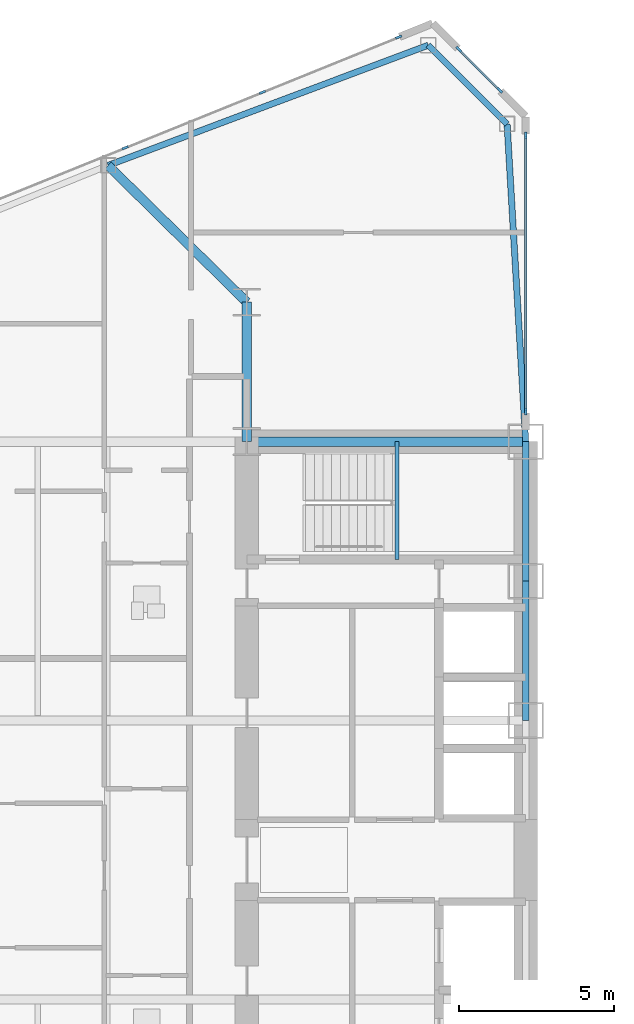
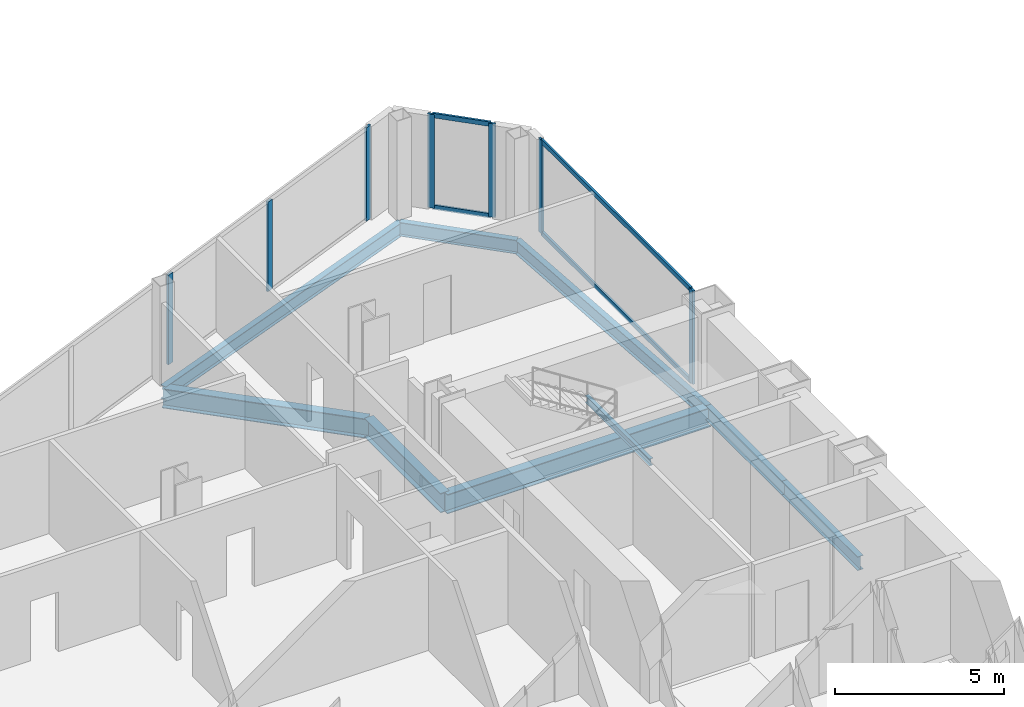
# One storey, part 8 of 25: 11 members, 9 beams, 3 elements without a shape of their own.
"""IFC4 building model written with IfcOpenShell, lengths in metres."""

from ifc_helpers import new_model, si_unit, direction, frame, origin, origin_2d, place, context, subcontext, project, spatial, rectangle, i_section, extrude, source, transform, mapped, material, layer, layer_set, material_profile, profile_set, type_object, type_shapes, element, aggregate, save


model = new_model("IFC4")

# Units and contexts
model_context = context("Model", 3, precision=1e-05, world=origin(), true_north=direction((0.0, 1.0)))
body_context = subcontext(model_context, "Body", "Model", "MODEL_VIEW")
ifc_project = project(units=[si_unit("LENGTHUNIT", "METRE"), si_unit("AREAUNIT", "SQUARE_METRE"), si_unit("VOLUMEUNIT", "CUBIC_METRE"), si_unit("PLANEANGLEUNIT", "RADIAN"), si_unit("MASSUNIT", "GRAM", prefix="KILO")], contexts=[model_context])

# Site, building, storey
site_placement = place(None, origin())
site = spatial("IfcSite", under=ifc_project, at=site_placement, CompositionType="ELEMENT")
building_placement = place(site_placement, origin())
building = spatial("IfcBuilding", under=site, at=building_placement, Name="Seokmaru Belvedere", CompositionType="ELEMENT")
storey_placement = place(building_placement, frame((0.0, 0.0, 22.5)))
storey = spatial("IfcBuildingStorey", under=building, at=storey_placement, Name="L05", CompositionType="ELEMENT", Elevation=22.5)

# Beams
ifc_material_1 = material(Name="Steel SM355 (355 MPa)", Category="steel")
ifc_material_profile_1 = material_profile(ifc_material_1, i_section(OverallWidth=0.199951171875, OverallDepth=0.5, WebThickness=0.010009765625, FlangeThickness=0.01611328125, at=origin_2d()), Name="H-500x200x10x16")
ifc_profile_set_1 = profile_set([ifc_material_profile_1], Name="Steel SM355 (355 MPa)")
beam_type_1 = type_object("IfcBeamType", Name="Perimeter Spandrel Beam H-500", PredefinedType="SPANDREL", material=ifc_profile_set_1)
shared_shape_1 = source(origin(), body_context, "Body", "SweptSolid", [
    extrude(i_section(OverallWidth=0.199951171875, OverallDepth=0.5, WebThickness=0.010009765625, FlangeThickness=0.01611328125, at=origin_2d()), origin(), (0.0, 0.0, 1.0), 4.5),
])
for number, where, z_axis, x_axis, name in (
    (1, (-27.5, 4.5, -0.469970703125), (0.0, 1.0, 0.0), (-1.0, 0.0, 0.0), "L05 W Portal Spine Spandrel 4"),
    (2, (-27.5, 9.0, -0.469970703125), (0.0, 1.0, 0.0), (-1.0, 0.0, 0.0), "L05 W Portal Spine Spandrel 5"),
):
    element("IfcBeam", number, at=place(storey_placement, frame(where, z_axis=z_axis, x_axis=x_axis)), inside=storey, type_object=beam_type_1, Name=name, PredefinedType="SPANDREL", context=body_context, shape_type="MappedRepresentation", body=[
        mapped(shared_shape_1, transform((0.0, 0.0, 0.0), scale=1.0)),
    ])
ifc_material_profile_2 = material_profile(ifc_material_1, i_section(OverallWidth=0.300048828125, OverallDepth=0.699951171875, WebThickness=0.012939453125, FlangeThickness=0.02392578125, at=origin_2d()), Name="H-700x300x13x24")
ifc_profile_set_2 = profile_set([ifc_material_profile_2], Name="Steel SM355 (355 MPa)")
beam_type_2 = type_object("IfcBeamType", Name="Primary Floor Girder H-700", PredefinedType="BEAM", material=ifc_profile_set_2)
shared_shape_2 = source(origin(), body_context, "Body", "SweptSolid", [
    extrude(i_section(OverallWidth=0.300048828125, OverallDepth=0.699951171875, WebThickness=0.012939453125, FlangeThickness=0.02392578125, at=origin_2d()), origin(), (0.0, 0.0, 1.0), 4.5),
])
beam_1_placement = place(storey_placement, frame((-36.5, 13.5, -0.570068359375), z_axis=(0.0, 1.0, 0.0), x_axis=(-1.0, 0.0, 0.0)))
element("IfcBeam", 3, at=beam_1_placement, inside=storey, type_object=beam_type_2, Name="L05 W Core Shoulder Girder N", PredefinedType="BEAM", context=body_context, shape_type="MappedRepresentation", body=[
    mapped(shared_shape_2, transform((0.0, 0.0, 0.0), scale=1.0)),
])
shared_shape_3 = source(origin(), body_context, "Body", "SweptSolid", [
    extrude(i_section(OverallWidth=0.300048828125, OverallDepth=0.699951171875, WebThickness=0.012939453125, FlangeThickness=0.02392578125, at=origin_2d()), origin(), (0.0, 0.0, 1.0), 9.0),
])
beam_2_placement = place(storey_placement, frame((-36.5, 13.5, -0.570068359375), z_axis=(1.0, 0.0, 0.0), x_axis=(0.0, 1.0, 0.0)))
element("IfcBeam", 4, at=beam_2_placement, inside=storey, type_object=beam_type_2, Name="L05 W Core Tie Girder 4", PredefinedType="BEAM", context=body_context, shape_type="MappedRepresentation", body=[
    mapped(shared_shape_3, transform((0.0, 0.0, 0.0), scale=1.0)),
])
shared_shape_4 = source(origin(), body_context, "Body", "SweptSolid", [
    extrude(i_section(OverallWidth=0.199951171875, OverallDepth=0.5, WebThickness=0.010009765625, FlangeThickness=0.01611328125, at=origin_2d()), origin(), (0.0, 0.0, 1.0), 11.03857421875),
])
beam_3_placement = place(storey_placement, frame((-30.643310546875, 26.294677734375, -0.469970703125), z_axis=(-0.936169110734, -0.351549990907, 0.0), x_axis=(0.351549990907, -0.936169110734, 0.0)))
element("IfcBeam", 5, at=beam_3_placement, inside=storey, type_object=beam_type_1, Name="L05 W Faceted Flank Spandrel N-1", PredefinedType="SPANDREL", context=body_context, shape_type="MappedRepresentation", body=[
    mapped(shared_shape_4, transform((0.0, 0.0, 0.0), scale=1.0)),
])
shared_shape_5 = source(origin(), body_context, "Body", "SweptSolid", [
    extrude(i_section(OverallWidth=0.199951171875, OverallDepth=0.5, WebThickness=0.010009765625, FlangeThickness=0.01611328125, at=origin_2d()), origin(), (0.0, 0.0, 1.0), 3.5966796875),
])
beam_4_placement = place(storey_placement, frame((-30.643310546875, 26.294677734375, -0.469970703125), z_axis=(0.707106781187, -0.707106781187, 0.0), x_axis=(0.707106781187, 0.707106781187, 0.0)))
element("IfcBeam", 6, at=beam_4_placement, inside=storey, type_object=beam_type_1, Name="L05 W Shoulder Chamfer Spandrel N", PredefinedType="SPANDREL", context=body_context, shape_type="MappedRepresentation", body=[
    mapped(shared_shape_5, transform((0.0, 0.0, 0.0), scale=1.0)),
])
shared_shape_6 = source(origin(), body_context, "Body", "SweptSolid", [
    extrude(i_section(OverallWidth=0.199951171875, OverallDepth=0.5, WebThickness=0.010009765625, FlangeThickness=0.01611328125, at=origin_2d()), origin(), (0.0, 0.0, 1.0), 10.26904296875),
])
type_shapes(beam_type_1, [shared_shape_1, shared_shape_4, shared_shape_5, shared_shape_6])
beam_5_placement = place(storey_placement, frame((-28.10009765625, 23.75146484375, -0.469970703125), z_axis=(0.058437709399, -0.998291056817, 0.0), x_axis=(0.998291056817, 0.058437709399, 0.0)))
element("IfcBeam", 7, at=beam_5_placement, inside=storey, type_object=beam_type_1, Name="L05 W Shoulder Spine Spandrel N", PredefinedType="SPANDREL", context=body_context, shape_type="MappedRepresentation", body=[
    mapped(shared_shape_6, transform((0.0, 0.0, 0.0), scale=1.0)),
])
shared_shape_7 = source(origin(), body_context, "Body", "SweptSolid", [
    extrude(i_section(OverallWidth=0.300048828125, OverallDepth=0.699951171875, WebThickness=0.012939453125, FlangeThickness=0.02392578125, at=origin_2d()), origin(), (0.0, 0.0, 1.0), 6.287353515625),
])
type_shapes(beam_type_2, [shared_shape_2, shared_shape_3, shared_shape_7])
beam_6_placement = place(storey_placement, frame((-40.977294921875, 22.4140625, -0.570068359375), z_axis=(0.712117485263, -0.702060315915, 0.0), x_axis=(0.702060315915, 0.712117485263, 0.0)))
element("IfcBeam", 8, at=beam_6_placement, inside=storey, type_object=beam_type_2, Name="L05 W Flank Radial Floor Girder N-1", PredefinedType="BEAM", context=body_context, shape_type="MappedRepresentation", body=[
    mapped(shared_shape_7, transform((0.0, 0.0, 0.0), scale=1.0)),
])

# Curtain wall, members
ifc_material_2 = material(Name="Bronze Triple Insulating Glass", Category="glass")
ifc_layer = layer(ifc_material_2, 0.2099609375)
ifc_layer_set = layer_set([ifc_layer], Name="Bronze Triple Insulating Glass")
curtain_wall_type = type_object("IfcCurtainWallType", Name="Low-Rise Faceted Crystal Curtain Wall System CW-2", PredefinedType="NOTDEFINED", material=ifc_layer_set)
curtain_wall_1_placement = place(storey_placement, origin())
curtain_wall_1 = element("IfcCurtainWall", 9, at=curtain_wall_1_placement, inside=storey, type_object=curtain_wall_type, Name="L05 Curtain Wall WSP_2", PredefinedType="NOTDEFINED")
ifc_material_3 = material(Name="Anodised Bronze Aluminium", Category="aluminium")
ifc_material_profile_3 = material_profile(ifc_material_3, rectangle(XDim=0.070068359375, YDim=0.1650390625, at=origin_2d()), Name="CW-T-70x165")
ifc_profile_set_3 = profile_set([ifc_material_profile_3], Name="Anodised Bronze Aluminium")
member_type_1 = type_object("IfcMemberType", Name="Bronze Unitised Transom 70x165", PredefinedType="USERDEFINED", material=ifc_profile_set_3)
shared_shape_8 = source(origin(), body_context, "Body", "SweptSolid", [
    extrude(rectangle(XDim=0.070068359375, YDim=0.1650390625, at=origin_2d()), origin(), (0.0, 0.0, 1.0), 8.85009765625),
])
member_1_placement = place(storey_placement, frame((-27.5, 14.5048828125, 0.034912109375), z_axis=(0.0, 1.0, 0.0), x_axis=(-1.0, 0.0, 0.0)))
member_1 = element("IfcMember", 10, at=member_1_placement, type_object=member_type_1, Name="CW:L05:WSP_2 Continuous Transom 1", ObjectType="TRANSOM", PredefinedType="USERDEFINED", context=body_context, shape_type="MappedRepresentation", body=[
    mapped(shared_shape_8, transform((0.0, 0.0, 0.0), scale=1.0)),
])
member_2_placement = place(storey_placement, frame((-27.5, 14.5048828125, 3.344970703125), z_axis=(0.0, 1.0, 0.0), x_axis=(-1.0, 0.0, 0.0)))
member_2 = element("IfcMember", 11, at=member_2_placement, type_object=member_type_1, Name="CW:L05:WSP_2 Continuous Transom 2", ObjectType="TRANSOM", PredefinedType="USERDEFINED", context=body_context, shape_type="MappedRepresentation", body=[
    mapped(shared_shape_8, transform((0.0, 0.0, 0.0), scale=1.0)),
])

curtain_wall_2_placement = place(storey_placement, origin())
curtain_wall_2 = element("IfcCurtainWall", 12, at=curtain_wall_2_placement, inside=storey, type_object=curtain_wall_type, Name="L05 Curtain Wall WF2", PredefinedType="NOTDEFINED")
shared_shape_9 = source(origin(), body_context, "Body", "SweptSolid", [
    extrude(rectangle(XDim=0.070068359375, YDim=0.1650390625, at=origin_2d()), origin(), (0.0, 0.0, 1.0), 1.792724609375),
])
type_shapes(member_type_1, [shared_shape_8, shared_shape_9])
member_3_placement = place(storey_placement, frame((-28.3662109375, 24.8662109375, 0.034912109375), z_axis=(-0.707106781187, 0.707106781187, 0.0), x_axis=(-0.707106781187, -0.707106781187, 0.0)))
member_3 = element("IfcMember", 13, at=member_3_placement, type_object=member_type_1, Name="CW:L05:WF2 Continuous Transom 1", ObjectType="TRANSOM", PredefinedType="USERDEFINED", context=body_context, shape_type="MappedRepresentation", body=[
    mapped(shared_shape_9, transform((0.0, 0.0, 0.0), scale=1.0)),
])
member_4_placement = place(storey_placement, frame((-28.3662109375, 24.8662109375, 3.344970703125), z_axis=(-0.707106781187, 0.707106781187, 0.0), x_axis=(-0.707106781187, -0.707106781187, 0.0)))
member_4 = element("IfcMember", 14, at=member_4_placement, type_object=member_type_1, Name="CW:L05:WF2 Continuous Transom 2", ObjectType="TRANSOM", PredefinedType="USERDEFINED", context=body_context, shape_type="MappedRepresentation", body=[
    mapped(shared_shape_9, transform((0.0, 0.0, 0.0), scale=1.0)),
])

curtain_wall_3_placement = place(storey_placement, origin())
curtain_wall_3 = element("IfcCurtainWall", 15, at=curtain_wall_3_placement, inside=storey, type_object=curtain_wall_type, Name="L05 Curtain Wall WF3", PredefinedType="NOTDEFINED")
ifc_material_profile_4 = material_profile(ifc_material_3, rectangle(XDim=0.074951171875, YDim=0.2099609375, at=origin_2d()), Name="CW-M-75x210")
ifc_profile_set_4 = profile_set([ifc_material_profile_4], Name="Anodised Bronze Aluminium")
member_type_2 = type_object("IfcMemberType", Name="Bronze Unitised Mullion 75x210", PredefinedType="MULLION", material=ifc_profile_set_4)
shared_shape_10 = source(origin(), body_context, "Body", "SweptSolid", [
    extrude(rectangle(XDim=0.074951171875, YDim=0.2099609375, at=origin_2d()), origin(), (0.0, 0.0, 1.0), 3.239990234375),
])
member_5_placement = place(storey_placement, frame((-35.995849609375, 24.775390625, 0.070068359375), z_axis=(0.0, 0.0, 1.0), x_axis=(0.375192321888, -0.926946989637, 0.0)))
member_5 = element("IfcMember", 16, at=member_5_placement, type_object=member_type_2, Name="CW:L05:WF3 Mullion 2", PredefinedType="MULLION", context=body_context, shape_type="MappedRepresentation", body=[
    mapped(shared_shape_10, transform((0.0, 0.0, 0.0), scale=1.0)),
])
member_6_placement = place(storey_placement, frame((-40.425537109375, 22.982421875, 0.070068359375), z_axis=(0.0, 0.0, 1.0), x_axis=(0.375192321888, -0.926946989637, 0.0)))
member_6 = element("IfcMember", 17, at=member_6_placement, type_object=member_type_2, Name="CW:L05:WF3 Mullion 3", PredefinedType="MULLION", context=body_context, shape_type="MappedRepresentation", body=[
    mapped(shared_shape_10, transform((0.0, 0.0, 0.0), scale=1.0)),
])

# Member
shared_shape_11 = source(origin(), body_context, "Body", "SweptSolid", [
    extrude(rectangle(XDim=0.074951171875, YDim=0.2099609375, at=origin_2d()), origin(), (0.0, 0.0, 1.0), 3.3798828125),
])
type_shapes(member_type_2, [shared_shape_10, shared_shape_11])
member_7_placement = place(storey_placement, frame((-27.5, 14.467529296875, 0.0), z_axis=(0.0, 0.0, 1.0), x_axis=(-1.0, 0.0, 0.0)))
member_7 = element("IfcMember", 18, at=member_7_placement, type_object=member_type_2, Name="CW:L05:WSP_2 Mullion 1", PredefinedType="MULLION", context=body_context, shape_type="MappedRepresentation", body=[
    mapped(shared_shape_11, transform((0.0, 0.0, 0.0), scale=1.0)),
])

member_8_placement = place(storey_placement, frame((-27.5, 23.392578125, 0.0), z_axis=(0.0, 0.0, 1.0), x_axis=(-1.0, 0.0, 0.0)))
member_8 = element("IfcMember", 19, at=member_8_placement, type_object=member_type_2, Name="CW:L05:WSP_2 Mullion 2", PredefinedType="MULLION", context=body_context, shape_type="MappedRepresentation", body=[
    mapped(shared_shape_11, transform((0.0, 0.0, 0.0), scale=1.0)),
])

aggregate(curtain_wall_1, [member_7, member_8, member_1, member_2])

member_9_placement = place(storey_placement, frame((-28.339599609375, 24.839599609375, 0.0), z_axis=(0.0, 0.0, 1.0), x_axis=(-0.707106781187, -0.707106781187, 0.0)))
member_9 = element("IfcMember", 20, at=member_9_placement, type_object=member_type_2, Name="CW:L05:WF2 Mullion 1", PredefinedType="MULLION", context=body_context, shape_type="MappedRepresentation", body=[
    mapped(shared_shape_11, transform((0.0, 0.0, 0.0), scale=1.0)),
])

member_10_placement = place(storey_placement, frame((-29.660400390625, 26.160400390625, 0.0), z_axis=(0.0, 0.0, 1.0), x_axis=(-0.707106781187, -0.707106781187, 0.0)))
member_10 = element("IfcMember", 21, at=member_10_placement, type_object=member_type_2, Name="CW:L05:WF2 Mullion 2", PredefinedType="MULLION", context=body_context, shape_type="MappedRepresentation", body=[
    mapped(shared_shape_11, transform((0.0, 0.0, 0.0), scale=1.0)),
])

aggregate(curtain_wall_2, [member_9, member_10, member_3, member_4])

member_11_placement = place(storey_placement, frame((-31.600830078125, 26.554443359375, 0.0), z_axis=(0.0, 0.0, 1.0), x_axis=(0.375192321888, -0.926946989637, 0.0)))
member_11 = element("IfcMember", 22, at=member_11_placement, type_object=member_type_2, Name="CW:L05:WF3 Mullion 1", PredefinedType="MULLION", context=body_context, shape_type="MappedRepresentation", body=[
    mapped(shared_shape_11, transform((0.0, 0.0, 0.0), scale=1.0)),
])

aggregate(curtain_wall_3, [member_11, member_5, member_6])

# Beam
ifc_material_profile_5 = material_profile(ifc_material_1, i_section(OverallWidth=0.125, OverallDepth=0.25, WebThickness=0.006103515625, FlangeThickness=0.009033203125, at=origin_2d()), Name="H-250x125x6x9")
ifc_profile_set_5 = profile_set([ifc_material_profile_5], Name="Steel SM355 (355 MPa)")
beam_type_3 = type_object("IfcBeamType", Name="Stair Mid-Landing Support Beam H-250", PredefinedType="JOIST", material=ifc_profile_set_5)
shared_shape_12 = source(origin(), body_context, "Body", "SweptSolid", [
    extrude(i_section(OverallWidth=0.125, OverallDepth=0.25, WebThickness=0.006103515625, FlangeThickness=0.009033203125, at=origin_2d()), origin(), (0.0, 0.0, 1.0), 3.800048828125),
])
type_shapes(beam_type_3, [shared_shape_12])
beam_7_placement = place(storey_placement, frame((-31.64990234375, 9.699951171875, 1.47509765625), z_axis=(0.0, 1.0, 0.0), x_axis=(-1.0, 0.0, 0.0)))
element("IfcBeam", 23, at=beam_7_placement, inside=storey, type_object=beam_type_3, Name="L05 Stair ST-W2 Mid-Landing Support Beam 1", PredefinedType="JOIST", context=body_context, shape_type="MappedRepresentation", body=[
    mapped(shared_shape_12, transform((0.0, 0.0, 0.0), scale=1.0)),
])

save(model, "model.ifc")
